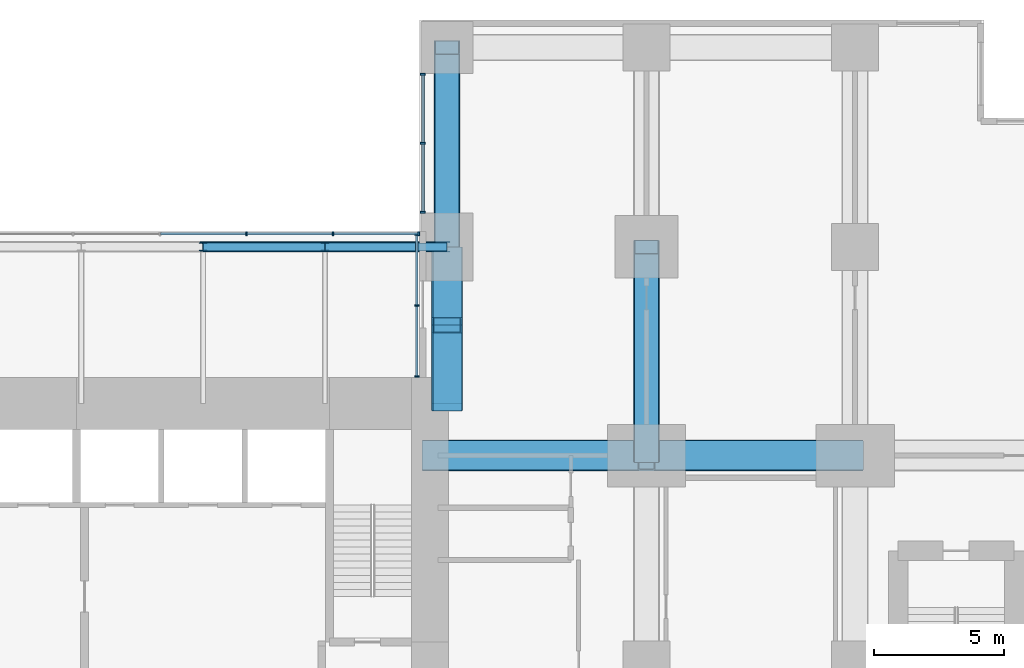
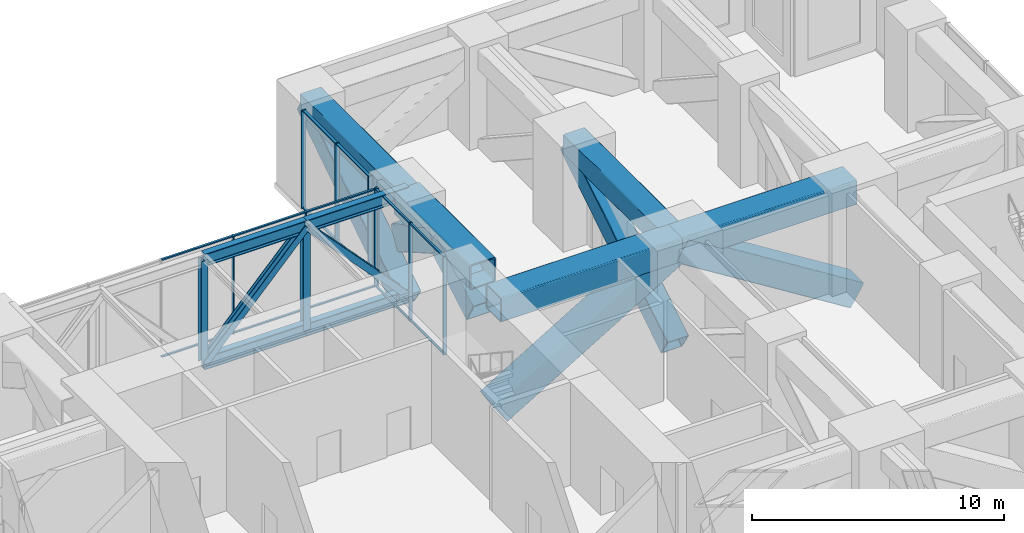
# One storey, part 9 of 19: 38 members, 4 beams, 3 elements without a shape of their own.
"""IFC4 building model written with IfcOpenShell, lengths in metres."""

from ifc_helpers import new_model, si_unit, direction, frame, origin, origin_2d, place, context, subcontext, project, spatial, rectangle, hollow_rectangle, i_section, extrude, material, layer, layer_set, material_profile, profile_set, type_object, element, aggregate, save


model = new_model("IFC4")

# Units and contexts
model_context = context("Model", 3, precision=1e-05, world=origin(), true_north=direction((0.0, 1.0)))
body_context = subcontext(model_context, "Body", "Model", "MODEL_VIEW")
ifc_project = project(units=[si_unit("LENGTHUNIT", "METRE"), si_unit("AREAUNIT", "SQUARE_METRE"), si_unit("VOLUMEUNIT", "CUBIC_METRE"), si_unit("PLANEANGLEUNIT", "RADIAN"), si_unit("MASSUNIT", "GRAM", prefix="KILO")], contexts=[model_context])

# Site, building, storey
site_placement = place(None, origin())
site = spatial("IfcSite", under=ifc_project, at=site_placement, CompositionType="ELEMENT")
building_placement = place(site_placement, origin())
building = spatial("IfcBuilding", under=site, at=building_placement, Name="Cleftline Residences", CompositionType="ELEMENT")
storey_placement = place(building_placement, frame((0.0, 0.0, 177.199951171875)))
storey = spatial("IfcBuildingStorey", under=building, at=storey_placement, Name="L46", CompositionType="ELEMENT", Elevation=177.199951171875)

# Members
ifc_material_1 = material(Name="Steel S355", Category="steel")
ifc_material_profile_1 = material_profile(ifc_material_1, hollow_rectangle(XDim=1.0, YDim=1.0, WallThickness=0.0400390625, InnerFilletRadius=0.0400390625, OuterFilletRadius=0.06005859375, at=origin_2d()))
ifc_profile_set_1 = profile_set([ifc_material_profile_1], Name="Steel S355")
member_type_1 = type_object("IfcMemberType", Name="BRACE BOX 1000X1000X40", PredefinedType="BRACE", material=ifc_profile_set_1)
member_1_placement = place(storey_placement, frame((42.35009765625, 40.0, -0.75), z_axis=(0.0, 0.837062783189, 0.547106842399), x_axis=(0.0, -0.547106842399, 0.837062783189)))
element("IfcMember", 1, at=member_1_placement, inside=storey, type_object=member_type_1, Name="Belt truss diagonal", PredefinedType="BRACE", context=body_context, shape_type="SweptSolid", body=[
    extrude(hollow_rectangle(XDim=1.0, YDim=1.0, WallThickness=0.0400390625, InnerFilletRadius=0.0400390625, OuterFilletRadius=0.06005859375, at=origin_2d()), origin(), (0.0, 0.0, 1.0), 9.138916015625),
])
member_2_placement = place(storey_placement, frame((50.0, 32.0, -0.75), z_axis=(0.0, 0.847998304005, 0.529998940003), x_axis=(0.0, -0.529998940003, 0.847998304005)))
element("IfcMember", 2, at=member_2_placement, inside=storey, type_object=member_type_1, Name="Belt truss diagonal", PredefinedType="BRACE", context=body_context, shape_type="SweptSolid", body=[
    extrude(hollow_rectangle(XDim=1.0, YDim=1.0, WallThickness=0.0400390625, InnerFilletRadius=0.0400390625, OuterFilletRadius=0.06005859375, at=origin_2d()), origin(), (0.0, 0.0, 1.0), 9.43408203125),
])
ifc_material_2 = material(Name="Steel S355", Category="steel")
ifc_material_profile_2 = material_profile(ifc_material_2, hollow_rectangle(XDim=1.199951171875, YDim=1.199951171875, WallThickness=0.06005859375, InnerFilletRadius=0.06005859375, OuterFilletRadius=0.090087890625, at=origin_2d()))
ifc_profile_set_2 = profile_set([ifc_material_profile_2], Name="Steel S355")
member_type_2 = type_object("IfcMemberType", Name="BRACE BOX 1200X1200X60", PredefinedType="BRACE", material=ifc_profile_set_2)
member_3_placement = place(storey_placement, frame((41.699951171875, 32.0, -0.849853515625), z_axis=(0.85658231387, 0.0, 0.51601040645), x_axis=(-0.51601040645, 0.0, 0.85658231387)))
element("IfcMember", 3, at=member_3_placement, inside=storey, type_object=member_type_2, Name="Outrigger truss diagonal", PredefinedType="BRACE", context=body_context, shape_type="SweptSolid", body=[
    extrude(hollow_rectangle(XDim=1.199951171875, YDim=1.199951171875, WallThickness=0.06005859375, InnerFilletRadius=0.06005859375, OuterFilletRadius=0.090087890625, at=origin_2d()), origin(), (0.0, 0.0, 1.0), 9.689697265625),
])
member_4_placement = place(storey_placement, frame((50.0, 32.0, 4.150146484375), z_axis=(0.847998304005, 0.0, -0.529998940003), x_axis=(0.529998940003, 0.0, 0.847998304005)))
element("IfcMember", 4, at=member_4_placement, inside=storey, type_object=member_type_2, Name="Outrigger truss diagonal", PredefinedType="BRACE", context=body_context, shape_type="SweptSolid", body=[
    extrude(hollow_rectangle(XDim=1.199951171875, YDim=1.199951171875, WallThickness=0.06005859375, InnerFilletRadius=0.06005859375, OuterFilletRadius=0.090087890625, at=origin_2d()), origin(), (0.0, 0.0, 1.0), 9.43408203125),
])
for number, where, z_axis, x_axis, name in (
    (5, (42.35009765625, 40.0, 2.43115234375), (0.0, -0.867655928929, 0.497165152636), (0.0, 0.497165152636, 0.867655928929), "Outrigger truss diagonal"),
    (6, (42.35009765625, 34.0, 2.43115234375), (0.0, 0.867655928929, 0.497165152636), (0.0, -0.497165152636, 0.867655928929), "Outrigger truss diagonal"),
):
    element("IfcMember", number, at=place(storey_placement, frame(where, z_axis=z_axis, x_axis=x_axis)), inside=storey, type_object=member_type_2, Name=name, PredefinedType="BRACE", context=body_context, shape_type="SweptSolid", body=[
        extrude(hollow_rectangle(XDim=1.199951171875, YDim=1.199951171875, WallThickness=0.06005859375, InnerFilletRadius=0.06005859375, OuterFilletRadius=0.090087890625, at=origin_2d()), origin(), (0.0, 0.0, 1.0), 3.45751953125),
    ])
ifc_material_3 = material(Name="Steel S355", Category="steel")
ifc_material_profile_3 = material_profile(ifc_material_3, i_section(OverallWidth=0.300048828125, OverallDepth=0.39990234375, WebThickness=0.013427734375, FlangeThickness=0.02392578125, FilletRadius=0.027099609375, at=origin_2d()))
ifc_profile_set_3 = profile_set([ifc_material_profile_3], Name="Steel S355")
member_type_3 = type_object("IfcMemberType", Name="BRACE HEB 400", PredefinedType="BRACE", material=ifc_profile_set_3)
for number, where, z_axis, x_axis, name in (
    (7, (33.0, 40.0, -0.5), (0.682972422419, 0.0, 0.730444159546), (-0.730444159546, 0.0, 0.682972422419), "Sky bridge truss diagonal"),
    (8, (37.675048828125, 40.0, 4.5), (0.682972422419, 0.0, -0.730444159546), (0.730444159546, 0.0, 0.682972422419), "Sky bridge truss diagonal"),
):
    element("IfcMember", number, at=place(storey_placement, frame(where, z_axis=z_axis, x_axis=x_axis)), inside=storey, type_object=member_type_3, Name=name, PredefinedType="BRACE", context=body_context, shape_type="SweptSolid", body=[
        extrude(i_section(OverallWidth=0.300048828125, OverallDepth=0.39990234375, WebThickness=0.013427734375, FlangeThickness=0.02392578125, FilletRadius=0.027099609375, at=origin_2d()), origin(), (0.0, 0.0, 1.0), 6.84521484375),
    ])

# Beams
ifc_material_4 = material(Name="Steel S355", Category="steel")
ifc_material_profile_4 = material_profile(ifc_material_4, i_section(OverallWidth=0.300048828125, OverallDepth=0.60009765625, WebThickness=0.015380859375, FlangeThickness=0.030029296875, FilletRadius=0.027099609375, at=origin_2d()))
ifc_profile_set_4 = profile_set([ifc_material_profile_4], Name="Steel S355")
beam_type = type_object("IfcBeamType", Name="BRIDGE CHORD HEB 600", PredefinedType="BEAM", material=ifc_profile_set_4)
for number, where, z_axis, x_axis, name in (
    (9, (33.0, 40.0, -0.5), (1.0, 0.0, 0.0), (0.0, 1.0, 0.0), "Sky bridge truss bottom chord"),
    (10, (33.0, 40.0, 4.5), (1.0, 0.0, 0.0), (0.0, 1.0, 0.0), "Sky bridge truss top chord"),
    (11, (37.675048828125, 40.0, -0.5), (1.0, 0.0, 0.0), (0.0, 1.0, 0.0), "Sky bridge truss bottom chord"),
    (12, (37.675048828125, 40.0, 4.5), (1.0, 0.0, 0.0), (0.0, 1.0, 0.0), "Sky bridge truss top chord"),
):
    element("IfcBeam", number, at=place(storey_placement, frame(where, z_axis=z_axis, x_axis=x_axis)), inside=storey, type_object=beam_type, Name=name, PredefinedType="BEAM", context=body_context, shape_type="SweptSolid", body=[
        extrude(i_section(OverallWidth=0.300048828125, OverallDepth=0.60009765625, WebThickness=0.015380859375, FlangeThickness=0.030029296875, FilletRadius=0.027099609375, at=origin_2d()), origin(), (0.0, 0.0, 1.0), 4.675048828125),
    ])

# Members
ifc_material_5 = material(Name="Steel S355", Category="steel")
ifc_material_profile_5 = material_profile(ifc_material_5, hollow_rectangle(XDim=1.0, YDim=1.0, WallThickness=0.0400390625, InnerFilletRadius=0.0400390625, OuterFilletRadius=0.06005859375, at=origin_2d()))
ifc_profile_set_5 = profile_set([ifc_material_profile_5], Name="Steel S355")
member_type_4 = type_object("IfcMemberType", Name="CHORD BOX 1000X1000X40", PredefinedType="CHORD", material=ifc_profile_set_5)
member_5_placement = place(storey_placement, frame((42.35009765625, 40.0, 4.25), z_axis=(0.0, 1.0, 0.0), x_axis=(-1.0, 0.0, 0.0)))
element("IfcMember", 13, at=member_5_placement, inside=storey, type_object=member_type_4, Name="Belt truss top chord", PredefinedType="CHORD", context=body_context, shape_type="SweptSolid", body=[
    extrude(hollow_rectangle(XDim=1.0, YDim=1.0, WallThickness=0.0400390625, InnerFilletRadius=0.0400390625, OuterFilletRadius=0.06005859375, at=origin_2d()), origin(), (0.0, 0.0, 1.0), 7.64990234375),
])
member_6_placement = place(storey_placement, frame((50.0, 32.0, 4.25), z_axis=(0.0, 1.0, 0.0), x_axis=(-1.0, 0.0, 0.0)))
element("IfcMember", 14, at=member_6_placement, inside=storey, type_object=member_type_4, Name="Belt truss top chord", PredefinedType="CHORD", context=body_context, shape_type="SweptSolid", body=[
    extrude(hollow_rectangle(XDim=1.0, YDim=1.0, WallThickness=0.0400390625, InnerFilletRadius=0.0400390625, OuterFilletRadius=0.06005859375, at=origin_2d()), origin(), (0.0, 0.0, 1.0), 8.0),
])
ifc_material_6 = material(Name="Steel S355", Category="steel")
ifc_material_profile_6 = material_profile(ifc_material_6, hollow_rectangle(XDim=1.199951171875, YDim=1.199951171875, WallThickness=0.06005859375, InnerFilletRadius=0.06005859375, OuterFilletRadius=0.090087890625, at=origin_2d()))
ifc_profile_set_6 = profile_set([ifc_material_profile_6], Name="Steel S355")
member_type_5 = type_object("IfcMemberType", Name="CHORD BOX 1200X1200X60", PredefinedType="CHORD", material=ifc_profile_set_6)
member_7_placement = place(storey_placement, frame((41.699951171875, 32.0, 4.150146484375), z_axis=(1.0, 0.0, 0.0), x_axis=(0.0, 1.0, 0.0)))
element("IfcMember", 15, at=member_7_placement, inside=storey, type_object=member_type_5, Name="Outrigger truss top chord", PredefinedType="CHORD", context=body_context, shape_type="SweptSolid", body=[
    extrude(hollow_rectangle(XDim=1.199951171875, YDim=1.199951171875, WallThickness=0.06005859375, InnerFilletRadius=0.06005859375, OuterFilletRadius=0.090087890625, at=origin_2d()), origin(), (0.0, 0.0, 1.0), 8.300048828125),
])
member_8_placement = place(storey_placement, frame((50.0, 32.0, 4.150146484375), z_axis=(1.0, 0.0, 0.0), x_axis=(0.0, 1.0, 0.0)))
element("IfcMember", 16, at=member_8_placement, inside=storey, type_object=member_type_5, Name="Outrigger truss top chord", PredefinedType="CHORD", context=body_context, shape_type="SweptSolid", body=[
    extrude(hollow_rectangle(XDim=1.199951171875, YDim=1.199951171875, WallThickness=0.06005859375, InnerFilletRadius=0.06005859375, OuterFilletRadius=0.090087890625, at=origin_2d()), origin(), (0.0, 0.0, 1.0), 8.0),
])
member_9_placement = place(storey_placement, frame((42.35009765625, 40.0, 4.150146484375), z_axis=(0.0, -1.0, 0.0), x_axis=(1.0, 0.0, 0.0)))
element("IfcMember", 17, at=member_9_placement, inside=storey, type_object=member_type_5, Name="Outrigger truss top chord", PredefinedType="CHORD", context=body_context, shape_type="SweptSolid", body=[
    extrude(hollow_rectangle(XDim=1.199951171875, YDim=1.199951171875, WallThickness=0.06005859375, InnerFilletRadius=0.06005859375, OuterFilletRadius=0.090087890625, at=origin_2d()), origin(), (0.0, 0.0, 1.0), 6.0),
])

# Curtain wall, members
ifc_material_7 = material(Name="Aluminium framed curtain wall", Category="aluminium")
ifc_layer_1 = layer(ifc_material_7, 0.199951171875)
ifc_layer_set_1 = layer_set([ifc_layer_1], Name="CW1 CLEFT GLAZING")
curtain_wall_type_1 = type_object("IfcCurtainWallType", Name="CW1 CLEFT GLAZING", PredefinedType="NOTDEFINED", material=ifc_layer_set_1)
curtain_wall_1_placement = place(storey_placement, origin())
curtain_wall_1 = element("IfcCurtainWall", 18, at=curtain_wall_1_placement, inside=storey, type_object=curtain_wall_type_1, Name="Curtain wall CW1", PredefinedType="NOTDEFINED")
ifc_material_8 = material(Name="Aluminium mullion", Category="aluminium")
ifc_material_profile_7 = material_profile(ifc_material_8, rectangle(XDim=0.199951171875, YDim=0.06005859375, at=origin_2d()))
ifc_profile_set_7 = profile_set([ifc_material_profile_7], Name="Aluminium mullion")
member_type_6 = type_object("IfcMemberType", Name="CW1 MULLION", PredefinedType="MULLION", material=ifc_profile_set_7)
member_10_placement = place(storey_placement, frame((41.425048828125, 46.6201171875, 0.0), z_axis=(0.0, 0.0, 1.0), x_axis=(1.0, 0.0, 0.0)))
member_10 = element("IfcMember", 19, at=member_10_placement, type_object=member_type_6, Name="CW1 mullion 1", PredefinedType="MULLION", context=body_context, shape_type="SweptSolid", body=[
    extrude(rectangle(XDim=0.199951171875, YDim=0.06005859375, at=origin_2d()), origin(), (0.0, 0.0, 1.0), 4.75),
])
member_11_placement = place(storey_placement, frame((41.425048828125, 43.97509765625, 0.0), z_axis=(0.0, 0.0, 1.0), x_axis=(1.0, 0.0, 0.0)))
member_11 = element("IfcMember", 20, at=member_11_placement, type_object=member_type_6, Name="CW1 mullion 2", PredefinedType="MULLION", context=body_context, shape_type="SweptSolid", body=[
    extrude(rectangle(XDim=0.199951171875, YDim=0.06005859375, at=origin_2d()), origin(), (0.0, 0.0, 1.0), 4.75),
])
member_12_placement = place(storey_placement, frame((41.425048828125, 41.330078125, 0.0), z_axis=(0.0, 0.0, 1.0), x_axis=(1.0, 0.0, 0.0)))
member_12 = element("IfcMember", 21, at=member_12_placement, type_object=member_type_6, Name="CW1 mullion 3", PredefinedType="MULLION", context=body_context, shape_type="SweptSolid", body=[
    extrude(rectangle(XDim=0.199951171875, YDim=0.06005859375, at=origin_2d()), origin(), (0.0, 0.0, 1.0), 4.75),
])
ifc_material_9 = material(Name="Aluminium transom", Category="aluminium")
ifc_material_profile_8 = material_profile(ifc_material_9, rectangle(XDim=0.1201171875, YDim=0.06005859375, at=origin_2d()))
ifc_profile_set_8 = profile_set([ifc_material_profile_8], Name="Aluminium transom")
member_type_7 = type_object("IfcMemberType", Name="CW1 TRANSOM", PredefinedType="USERDEFINED", material=ifc_profile_set_8)
member_13_placement = place(storey_placement, frame((41.425048828125, 46.590087890625, 0.030029296875), z_axis=(0.0, -1.0, 0.0), x_axis=(1.0, 0.0, 0.0)))
member_13 = element("IfcMember", 22, at=member_13_placement, type_object=member_type_7, Name="CW1 transom 1.1", ObjectType="TRANSOM", PredefinedType="USERDEFINED", context=body_context, shape_type="SweptSolid", body=[
    extrude(rectangle(XDim=0.1201171875, YDim=0.06005859375, at=origin_2d()), origin(), (0.0, 0.0, 1.0), 2.585205078125),
])
member_14_placement = place(storey_placement, frame((41.425048828125, 46.590087890625, 4.719970703125), z_axis=(0.0, -1.0, 0.0), x_axis=(1.0, 0.0, 0.0)))
member_14 = element("IfcMember", 23, at=member_14_placement, type_object=member_type_7, Name="CW1 transom 1.2", ObjectType="TRANSOM", PredefinedType="USERDEFINED", context=body_context, shape_type="SweptSolid", body=[
    extrude(rectangle(XDim=0.1201171875, YDim=0.06005859375, at=origin_2d()), origin(), (0.0, 0.0, 1.0), 2.585205078125),
])
member_15_placement = place(storey_placement, frame((41.425048828125, 43.945068359375, 0.030029296875), z_axis=(0.0, -1.0, 0.0), x_axis=(1.0, 0.0, 0.0)))
member_15 = element("IfcMember", 24, at=member_15_placement, type_object=member_type_7, Name="CW1 transom 2.1", ObjectType="TRANSOM", PredefinedType="USERDEFINED", context=body_context, shape_type="SweptSolid", body=[
    extrude(rectangle(XDim=0.1201171875, YDim=0.06005859375, at=origin_2d()), origin(), (0.0, 0.0, 1.0), 2.5849609375),
])
member_16_placement = place(storey_placement, frame((41.425048828125, 43.945068359375, 4.719970703125), z_axis=(0.0, -1.0, 0.0), x_axis=(1.0, 0.0, 0.0)))
member_16 = element("IfcMember", 25, at=member_16_placement, type_object=member_type_7, Name="CW1 transom 2.2", ObjectType="TRANSOM", PredefinedType="USERDEFINED", context=body_context, shape_type="SweptSolid", body=[
    extrude(rectangle(XDim=0.1201171875, YDim=0.06005859375, at=origin_2d()), origin(), (0.0, 0.0, 1.0), 2.5849609375),
])
aggregate(curtain_wall_1, [member_10, member_11, member_12, member_13, member_14, member_15, member_16])

ifc_material_10 = material(Name="Aluminium framed curtain wall", Category="aluminium")
ifc_layer_2 = layer(ifc_material_10, 0.199951171875)
ifc_layer_set_2 = layer_set([ifc_layer_2], Name="CW3 BRIDGE GLAZING")
curtain_wall_type_2 = type_object("IfcCurtainWallType", Name="CW3 BRIDGE GLAZING", PredefinedType="NOTDEFINED", material=ifc_layer_set_2)
curtain_wall_2_placement = place(storey_placement, origin())
curtain_wall_2 = element("IfcCurtainWall", 26, at=curtain_wall_2_placement, inside=storey, type_object=curtain_wall_type_2, Name="Curtain wall CW3", PredefinedType="NOTDEFINED")
ifc_material_11 = material(Name="Aluminium mullion", Category="aluminium")
ifc_material_profile_9 = material_profile(ifc_material_11, rectangle(XDim=0.159912109375, YDim=0.06005859375, at=origin_2d()))
ifc_profile_set_9 = profile_set([ifc_material_profile_9], Name="Aluminium mullion")
member_type_8 = type_object("IfcMemberType", Name="CW3 MULLION", PredefinedType="MULLION", material=ifc_profile_set_9)
member_17_placement = place(storey_placement, frame((41.27001953125, 40.5, 0.0), z_axis=(0.0, 0.0, 1.0), x_axis=(0.0, -1.0, 0.0)))
member_17 = element("IfcMember", 27, at=member_17_placement, type_object=member_type_8, Name="CW3 mullion 1", PredefinedType="MULLION", context=body_context, shape_type="SweptSolid", body=[
    extrude(rectangle(XDim=0.159912109375, YDim=0.06005859375, at=origin_2d()), origin(), (0.0, 0.0, 1.0), 4.75),
])
member_18_placement = place(storey_placement, frame((37.97998046875, 40.5, 0.0), z_axis=(0.0, 0.0, 1.0), x_axis=(0.0, -1.0, 0.0)))
member_18 = element("IfcMember", 28, at=member_18_placement, type_object=member_type_8, Name="CW3 mullion 2", PredefinedType="MULLION", context=body_context, shape_type="SweptSolid", body=[
    extrude(rectangle(XDim=0.159912109375, YDim=0.06005859375, at=origin_2d()), origin(), (0.0, 0.0, 1.0), 4.75),
])
member_19_placement = place(storey_placement, frame((34.659912109375, 40.5, 0.0), z_axis=(0.0, 0.0, 1.0), x_axis=(0.0, -1.0, 0.0)))
member_19 = element("IfcMember", 29, at=member_19_placement, type_object=member_type_8, Name="CW3 mullion 3", PredefinedType="MULLION", context=body_context, shape_type="SweptSolid", body=[
    extrude(rectangle(XDim=0.159912109375, YDim=0.06005859375, at=origin_2d()), origin(), (0.0, 0.0, 1.0), 4.75),
])

curtain_wall_3_placement = place(storey_placement, origin())
curtain_wall_3 = element("IfcCurtainWall", 30, at=curtain_wall_3_placement, inside=storey, type_object=curtain_wall_type_2, Name="Curtain wall CW3", PredefinedType="NOTDEFINED")
member_20_placement = place(storey_placement, frame((41.199951171875, 40.469970703125, 0.0), z_axis=(0.0, 0.0, 1.0), x_axis=(1.0, 0.0, 0.0)))
member_20 = element("IfcMember", 31, at=member_20_placement, type_object=member_type_8, Name="CW3 mullion 1", PredefinedType="MULLION", context=body_context, shape_type="SweptSolid", body=[
    extrude(rectangle(XDim=0.159912109375, YDim=0.06005859375, at=origin_2d()), origin(), (0.0, 0.0, 1.0), 4.75),
])
member_21_placement = place(storey_placement, frame((41.199951171875, 37.75, 0.0), z_axis=(0.0, 0.0, 1.0), x_axis=(1.0, 0.0, 0.0)))
member_21 = element("IfcMember", 32, at=member_21_placement, type_object=member_type_8, Name="CW3 mullion 2", PredefinedType="MULLION", context=body_context, shape_type="SweptSolid", body=[
    extrude(rectangle(XDim=0.159912109375, YDim=0.06005859375, at=origin_2d()), origin(), (0.0, 0.0, 1.0), 4.75),
])
member_22_placement = place(storey_placement, frame((41.199951171875, 35.030029296875, 0.0), z_axis=(0.0, 0.0, 1.0), x_axis=(1.0, 0.0, 0.0)))
member_22 = element("IfcMember", 33, at=member_22_placement, type_object=member_type_8, Name="CW3 mullion 3", PredefinedType="MULLION", context=body_context, shape_type="SweptSolid", body=[
    extrude(rectangle(XDim=0.159912109375, YDim=0.06005859375, at=origin_2d()), origin(), (0.0, 0.0, 1.0), 4.75),
])

# Member
ifc_material_12 = material(Name="Aluminium transom", Category="aluminium")
ifc_material_profile_10 = material_profile(ifc_material_12, rectangle(XDim=0.095947265625, YDim=0.06005859375, at=origin_2d()))
ifc_profile_set_10 = profile_set([ifc_material_profile_10], Name="Aluminium transom")
member_type_9 = type_object("IfcMemberType", Name="CW3 TRANSOM", PredefinedType="USERDEFINED", material=ifc_profile_set_10)
member_23_placement = place(storey_placement, frame((41.239990234375, 40.5, 0.030029296875), z_axis=(-1.0, 0.0, 0.0), x_axis=(0.0, -1.0, 0.0)))
member_23 = element("IfcMember", 34, at=member_23_placement, type_object=member_type_9, Name="CW3 transom 1.1", ObjectType="TRANSOM", PredefinedType="USERDEFINED", context=body_context, shape_type="SweptSolid", body=[
    extrude(rectangle(XDim=0.095947265625, YDim=0.06005859375, at=origin_2d()), origin(), (0.0, 0.0, 1.0), 3.22998046875),
])

member_24_placement = place(storey_placement, frame((41.239990234375, 40.5, 4.719970703125), z_axis=(-1.0, 0.0, 0.0), x_axis=(0.0, -1.0, 0.0)))
member_24 = element("IfcMember", 35, at=member_24_placement, type_object=member_type_9, Name="CW3 transom 1.2", ObjectType="TRANSOM", PredefinedType="USERDEFINED", context=body_context, shape_type="SweptSolid", body=[
    extrude(rectangle(XDim=0.095947265625, YDim=0.06005859375, at=origin_2d()), origin(), (0.0, 0.0, 1.0), 3.22998046875),
])

member_25_placement = place(storey_placement, frame((37.949951171875, 40.5, 0.030029296875), z_axis=(-1.0, 0.0, 0.0), x_axis=(0.0, -1.0, 0.0)))
member_25 = element("IfcMember", 36, at=member_25_placement, type_object=member_type_9, Name="CW3 transom 2.1", ObjectType="TRANSOM", PredefinedType="USERDEFINED", context=body_context, shape_type="SweptSolid", body=[
    extrude(rectangle(XDim=0.095947265625, YDim=0.06005859375, at=origin_2d()), origin(), (0.0, 0.0, 1.0), 3.260009765625),
])

member_26_placement = place(storey_placement, frame((37.949951171875, 40.5, 4.719970703125), z_axis=(-1.0, 0.0, 0.0), x_axis=(0.0, -1.0, 0.0)))
member_26 = element("IfcMember", 37, at=member_26_placement, type_object=member_type_9, Name="CW3 transom 2.2", ObjectType="TRANSOM", PredefinedType="USERDEFINED", context=body_context, shape_type="SweptSolid", body=[
    extrude(rectangle(XDim=0.095947265625, YDim=0.06005859375, at=origin_2d()), origin(), (0.0, 0.0, 1.0), 3.260009765625),
])

member_27_placement = place(storey_placement, frame((34.6298828125, 40.5, 0.030029296875), z_axis=(-1.0, 0.0, 0.0), x_axis=(0.0, -1.0, 0.0)))
member_27 = element("IfcMember", 38, at=member_27_placement, type_object=member_type_9, Name="CW3 transom 3.1", ObjectType="TRANSOM", PredefinedType="USERDEFINED", context=body_context, shape_type="SweptSolid", body=[
    extrude(rectangle(XDim=0.095947265625, YDim=0.06005859375, at=origin_2d()), origin(), (0.0, 0.0, 1.0), 3.259765625),
])

member_28_placement = place(storey_placement, frame((34.6298828125, 40.5, 4.719970703125), z_axis=(-1.0, 0.0, 0.0), x_axis=(0.0, -1.0, 0.0)))
member_28 = element("IfcMember", 39, at=member_28_placement, type_object=member_type_9, Name="CW3 transom 3.2", ObjectType="TRANSOM", PredefinedType="USERDEFINED", context=body_context, shape_type="SweptSolid", body=[
    extrude(rectangle(XDim=0.095947265625, YDim=0.06005859375, at=origin_2d()), origin(), (0.0, 0.0, 1.0), 3.259765625),
])

aggregate(curtain_wall_2, [member_17, member_18, member_19, member_23, member_24, member_25, member_26, member_27, member_28])

member_29_placement = place(storey_placement, frame((41.199951171875, 40.43994140625, 0.030029296875), z_axis=(0.0, -1.0, 0.0), x_axis=(1.0, 0.0, 0.0)))
member_29 = element("IfcMember", 40, at=member_29_placement, type_object=member_type_9, Name="CW3 transom 1.1", ObjectType="TRANSOM", PredefinedType="USERDEFINED", context=body_context, shape_type="SweptSolid", body=[
    extrude(rectangle(XDim=0.095947265625, YDim=0.06005859375, at=origin_2d()), origin(), (0.0, 0.0, 1.0), 2.659912109375),
])

member_30_placement = place(storey_placement, frame((41.199951171875, 40.43994140625, 4.719970703125), z_axis=(0.0, -1.0, 0.0), x_axis=(1.0, 0.0, 0.0)))
member_30 = element("IfcMember", 41, at=member_30_placement, type_object=member_type_9, Name="CW3 transom 1.2", ObjectType="TRANSOM", PredefinedType="USERDEFINED", context=body_context, shape_type="SweptSolid", body=[
    extrude(rectangle(XDim=0.095947265625, YDim=0.06005859375, at=origin_2d()), origin(), (0.0, 0.0, 1.0), 2.659912109375),
])

member_31_placement = place(storey_placement, frame((41.199951171875, 37.719970703125, 0.030029296875), z_axis=(0.0, -1.0, 0.0), x_axis=(1.0, 0.0, 0.0)))
member_31 = element("IfcMember", 42, at=member_31_placement, type_object=member_type_9, Name="CW3 transom 2.1", ObjectType="TRANSOM", PredefinedType="USERDEFINED", context=body_context, shape_type="SweptSolid", body=[
    extrude(rectangle(XDim=0.095947265625, YDim=0.06005859375, at=origin_2d()), origin(), (0.0, 0.0, 1.0), 2.659912109375),
])

member_32_placement = place(storey_placement, frame((41.199951171875, 37.719970703125, 4.719970703125), z_axis=(0.0, -1.0, 0.0), x_axis=(1.0, 0.0, 0.0)))
member_32 = element("IfcMember", 43, at=member_32_placement, type_object=member_type_9, Name="CW3 transom 2.2", ObjectType="TRANSOM", PredefinedType="USERDEFINED", context=body_context, shape_type="SweptSolid", body=[
    extrude(rectangle(XDim=0.095947265625, YDim=0.06005859375, at=origin_2d()), origin(), (0.0, 0.0, 1.0), 2.659912109375),
])

aggregate(curtain_wall_3, [member_20, member_21, member_22, member_29, member_30, member_31, member_32])

# Members
ifc_material_13 = material(Name="Steel S355", Category="steel")
ifc_material_profile_11 = material_profile(ifc_material_13, i_section(OverallWidth=0.300048828125, OverallDepth=0.300048828125, WebThickness=0.010986328125, FlangeThickness=0.01904296875, FilletRadius=0.027099609375, at=origin_2d()))
ifc_profile_set_11 = profile_set([ifc_material_profile_11], Name="Steel S355")
member_type_10 = type_object("IfcMemberType", Name="POST HEB 300", PredefinedType="POST", material=ifc_profile_set_11)
for number, where, z_axis, x_axis, name in (
    (44, (33.0, 40.0, -0.5), (0.0, 0.0, 1.0), (1.0, 0.0, 0.0), "Sky bridge truss post"),
    (45, (37.675048828125, 40.0, -0.5), (0.0, 0.0, 1.0), (1.0, 0.0, 0.0), "Sky bridge truss post"),
):
    element("IfcMember", number, at=place(storey_placement, frame(where, z_axis=z_axis, x_axis=x_axis)), inside=storey, type_object=member_type_10, Name=name, PredefinedType="POST", context=body_context, shape_type="SweptSolid", body=[
        extrude(i_section(OverallWidth=0.300048828125, OverallDepth=0.300048828125, WebThickness=0.010986328125, FlangeThickness=0.01904296875, FilletRadius=0.027099609375, at=origin_2d()), origin(), (0.0, 0.0, 1.0), 5.0),
    ])

save(model, "model.ifc")
